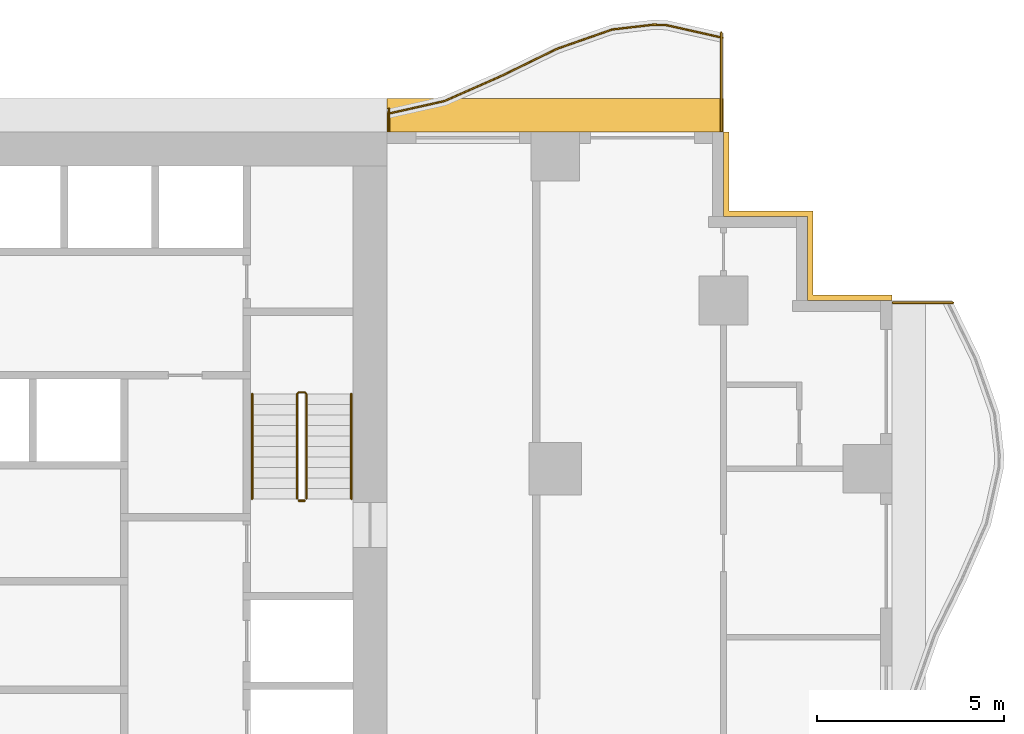
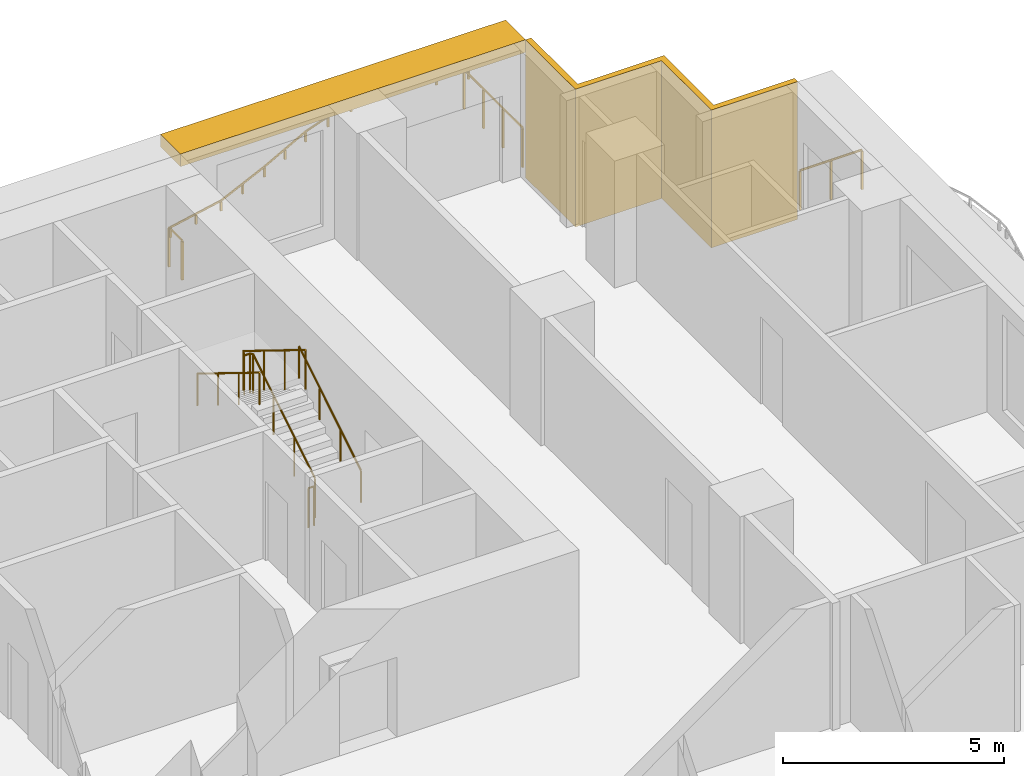
# One storey, part 14 of 14: 8 railings, 2 shading devices.
"""IFC4 building model written with IfcOpenShell, lengths in metres."""

import ifcopenshell
import ifcopenshell.guid

model = None  # the IFC model being written
_history = None  # IfcOwnerHistory: only IFC2X3 demands one
_inside = {}  # id of a spatial element -> (the spatial element, [elements in it])
_under = {}  # id of a project, library or spatial element -> (it, [spatial elements below it])
_declared = {}  # id of a project -> (the project, [libraries it declares])
_typed = {}  # id of a type object -> (the type object, [elements of that type])
_made_of = {}  # id of a material, layer set ... -> (it, [elements and type objects made of it])


def new_model(schema):
    """Start an empty IFC model of exactly this schema.

    Asked for "IFC4X3", IfcOpenShell would pick the latest addendum, in which some entities
    have other attributes; the version numbers below select the first issue.
    IFC2X3 requires an IfcOwnerHistory on every rooted entity: one is made here for all.
    """
    global model, _history
    if schema == "IFC4X3":
        model = ifcopenshell.file(schema_version=(4, 3, 0, 0))
    else:
        model = ifcopenshell.file(schema=schema)
    _inside.clear()
    _under.clear()
    _declared.clear()
    _typed.clear()
    _made_of.clear()
    _history = None
    if model.schema == "IFC2X3":
        org = make("IfcOrganization", Name="unknown")
        user = make(
            "IfcPersonAndOrganization",
            ThePerson=make("IfcPerson", FamilyName="unknown"),
            TheOrganization=org,
        )
        app = make(
            "IfcApplication",
            ApplicationDeveloper=org,
            Version="unknown",
            ApplicationFullName="unknown",
            ApplicationIdentifier="unknown",
        )
        _history = make(
            "IfcOwnerHistory",
            OwningUser=user,
            OwningApplication=app,
            ChangeAction="ADDED",
            CreationDate=0,
        )
    return model


def make(cls, **values):
    """One entity of the class cls with the attributes given. An attribute that is None is left unset."""
    return model.create_entity(
        cls, **{name: value for name, value in values.items() if value is not None}
    )


def rooted(cls, **values):
    """An entity with a GlobalId (a new one), such as an element, a storey or a relation."""
    return make(cls, GlobalId=ifcopenshell.guid.new(), OwnerHistory=_history, **values)


def si_unit(unit_type, name, prefix=None):
    """IfcSIUnit, for example si_unit("LENGTHUNIT", "METRE", prefix="MILLI")."""
    return make("IfcSIUnit", UnitType=unit_type, Prefix=prefix, Name=name)


def assignment(units):
    """IfcUnitAssignment: the units of a project."""
    return None if units is None else make("IfcUnitAssignment", Units=units)


def point(xyz):
    """IfcCartesianPoint."""
    return None if xyz is None else make("IfcCartesianPoint", Coordinates=xyz)


def direction(xyz):
    """IfcDirection."""
    return None if xyz is None else make("IfcDirection", DirectionRatios=xyz)


def frame(location, z_axis=None, x_axis=None):
    """IfcAxis2Placement3D, a coordinate frame: its origin and axes. An axis left out is left unset."""
    return make(
        "IfcAxis2Placement3D",
        Location=point(location),
        Axis=direction(z_axis),
        RefDirection=direction(x_axis),
    )


def frame_2d(location, x_axis=None):
    """IfcAxis2Placement2D, a coordinate frame in the plane: its origin and x axis."""
    return make(
        "IfcAxis2Placement2D", Location=point(location), RefDirection=direction(x_axis)
    )


def origin():
    """The frame at (0, 0, 0) with its axes left unset."""
    return frame((0.0, 0.0, 0.0))


def origin_2d():
    """The frame at (0, 0) in the plane with its x axis left unset."""
    return frame_2d((0.0, 0.0))


def place(relative_to, where):
    """IfcLocalPlacement: puts the frame where relative to a parent placement (None: the world)."""
    return make(
        "IfcLocalPlacement", PlacementRelTo=relative_to, RelativePlacement=where
    )


def context(
    kind, dimensions, precision=None, world=None, true_north=None, identifier=None
):
    """IfcGeometricRepresentationContext, for example the 3D "Model" context."""
    return make(
        "IfcGeometricRepresentationContext",
        ContextIdentifier=identifier,
        ContextType=kind,
        CoordinateSpaceDimension=dimensions,
        Precision=precision,
        WorldCoordinateSystem=world,
        TrueNorth=true_north,
    )


def subcontext(parent, identifier, kind, view, scale=None):
    """IfcGeometricRepresentationSubContext, for example "Body" below "Model"."""
    return make(
        "IfcGeometricRepresentationSubContext",
        ContextIdentifier=identifier,
        ContextType=kind,
        ParentContext=parent,
        TargetScale=scale,
        TargetView=view,
    )


def project(units=None, contexts=None):
    """IfcProject with its units and contexts."""
    return rooted(
        "IfcProject",
        Name="project",
        RepresentationContexts=contexts,
        UnitsInContext=assignment(units),
    )


def spatial(cls, under=None, at=None, **own):
    """A site, building, storey or space (cls), placed at a placement, below another one or the project."""
    s = rooted(cls, ObjectPlacement=at, **own)
    if under is not None:
        _under.setdefault(under.id(), (under, []))[1].append(s)
    return s


def polyline(points):
    """IfcPolyline through the points."""
    return make("IfcPolyline", Points=[point(p) for p in points])


def profile(cls, at=None, kind="AREA", **sizes):
    """A parametric profile (cls). Its sizes go by their IFC names, for example OverallWidth=200.0."""
    return make(cls, ProfileType=kind, Position=at, **sizes)


def rectangle(**sizes):
    """IfcRectangleProfileDef."""
    return profile("IfcRectangleProfileDef", **sizes)


def circle(**sizes):
    """IfcCircleProfileDef."""
    return profile("IfcCircleProfileDef", **sizes)


def outline(outer, holes=None, kind="AREA"):
    """IfcArbitraryClosedProfileDef: a profile drawn as a closed curve; with holes, ...WithVoids."""
    if holes is None:
        return make("IfcArbitraryClosedProfileDef", ProfileType=kind, OuterCurve=outer)
    return make(
        "IfcArbitraryProfileDefWithVoids",
        ProfileType=kind,
        OuterCurve=outer,
        InnerCurves=holes,
    )


def extrude(swept, where, along, depth):
    """IfcExtrudedAreaSolid: the profile swept, set in the frame where, extruded along a direction by depth."""
    return make(
        "IfcExtrudedAreaSolid",
        SweptArea=swept,
        Position=where,
        ExtrudedDirection=direction(along),
        Depth=depth,
    )


def shape(context_of_items, identifier, shape_type, items):
    """IfcShapeRepresentation: the items that make up one representation, for example the "Body"."""
    return make(
        "IfcShapeRepresentation",
        ContextOfItems=context_of_items,
        RepresentationIdentifier=identifier,
        RepresentationType=shape_type,
        Items=items,
    )


def material(Name=None, Category=None):
    """IfcMaterial."""
    return make("IfcMaterial", Name=Name, Category=Category)


def layer(
    of_material, thickness, ventilated=None, Name=None, Category=None, Priority=None
):
    """IfcMaterialLayer: one layer of a wall or slab, of a material (None: an air gap)."""
    return make(
        "IfcMaterialLayer",
        Material=of_material,
        LayerThickness=thickness,
        IsVentilated=ventilated,
        Name=Name,
        Category=Category,
        Priority=Priority,
    )


def layer_set(layers, Name=None):
    """IfcMaterialLayerSet."""
    return make("IfcMaterialLayerSet", MaterialLayers=layers, LayerSetName=Name)


def made_of(thing, what):
    """Note that an element or type object is made of a material, layer set ...; save() writes the relation."""
    if what is not None:
        _made_of.setdefault(what.id(), (what, []))[1].append(thing)
    return thing


def type_object(cls, material=None, **own):
    """A type object (cls), such as IfcWallType, which elements share."""
    return made_of(rooted(cls, **own), material)


def element(
    cls,
    number,
    at=None,
    inside=None,
    cuts=None,
    type_object=None,
    material=None,
    context=None,
    identifier="Body",
    shape_type=None,
    held_by="IfcProductDefinitionShape",
    body=None,
    shapes=None,
    **own,
):
    """One element of the class cls, such as IfcWall. Its Tag is "e" and its number.

    at: its placement. inside: the storey or other place that contains it. cuts: it is an
    opening in that element (IfcRelVoidsElement). A single representation is given by context,
    identifier, shape_type and body (its items); several are given by shapes. held_by: the class
    of the entity that holds the representations. save() writes the other relations.
    """
    e = rooted(cls, Tag="e%d" % number, ObjectPlacement=at, **own)
    if body is not None:
        shapes = [shape(context, identifier, shape_type, body)]
    if shapes is not None:
        e.Representation = make(held_by, Representations=shapes)
    if inside is not None:
        _inside.setdefault(inside.id(), (inside, []))[1].append(e)
    if cuts is not None:
        rooted(
            "IfcRelVoidsElement", RelatingBuildingElement=cuts, RelatedOpeningElement=e
        )
    if type_object is not None:
        _typed.setdefault(type_object.id(), (type_object, []))[1].append(e)
    return made_of(e, material)


def aggregate(whole, parts):
    """IfcRelAggregates: a whole, such as a stair, and the parts it consists of."""
    return rooted("IfcRelAggregates", RelatingObject=whole, RelatedObjects=parts)


def save(model, path):
    """Write the relations noted so far, then the file.

    IfcRelAggregates (storeys below a building ...), IfcRelContainedInSpatialStructure (elements
    in a storey), IfcRelDefinesByType, IfcRelAssociatesMaterial and IfcRelDeclares: one each for
    every whole, place, type object, material and project.
    """
    for whole, parts in _under.values():
        aggregate(whole, parts)
    for where, things in _inside.values():
        rooted(
            "IfcRelContainedInSpatialStructure",
            RelatedElements=things,
            RelatingStructure=where,
        )
    for kind, things in _typed.values():
        rooted("IfcRelDefinesByType", RelatedObjects=things, RelatingType=kind)
    for what, things in _made_of.values():
        rooted("IfcRelAssociatesMaterial", RelatedObjects=things, RelatingMaterial=what)
    for by, libraries in _declared.values():
        rooted("IfcRelDeclares", RelatingContext=by, RelatedDefinitions=libraries)
    model.write(path)


model = new_model("IFC4")

# Units and contexts
model_context = context("Model", 3, precision=1e-05, world=origin(), true_north=direction((0.0, 1.0)))
body_context = subcontext(model_context, "Body", "Model", "MODEL_VIEW")
ifc_project = project(units=[si_unit("LENGTHUNIT", "METRE"), si_unit("AREAUNIT", "SQUARE_METRE"), si_unit("VOLUMEUNIT", "CUBIC_METRE"), si_unit("PLANEANGLEUNIT", "RADIAN"), si_unit("MASSUNIT", "GRAM", prefix="KILO")], contexts=[model_context])

# Site, building, storey
site_placement = place(None, origin())
site = spatial("IfcSite", under=ifc_project, at=site_placement, CompositionType="ELEMENT")
building_placement = place(site_placement, origin())
building = spatial("IfcBuilding", under=site, at=building_placement, Name="Orbiselva Terraces", CompositionType="ELEMENT")
storey_placement = place(building_placement, frame((0.0, 0.0, 80.8)))
storey = spatial("IfcBuildingStorey", under=building, at=storey_placement, Name="L20", CompositionType="ELEMENT", Elevation=80.8)

# Railings
ifc_material_1 = material(Name="Stainless steel", Category="steel")
railing_type_1 = type_object("IfcRailingType", Name="CORE-GUARD-1100", PredefinedType="GUARDRAIL", material=ifc_material_1)
railing_1_placement = place(storey_placement, frame((11.35, 12.7, 0.172727)))
element("IfcRailing", 1, at=railing_1_placement, inside=storey, type_object=railing_type_1, Name="L20 S2 stair guard 1", PredefinedType="GUARDRAIL", context=body_context, shape_type="SweptSolid", body=[
    extrude(circle(Radius=0.024, at=origin_2d()), frame((0.0, 0.0, 1.081), z_axis=(0.0, 0.851088519012, 0.52502222125), x_axis=(-1.0, 0.0, 0.0)), (0.0, 0.0, 1.0), 3.289905),
    extrude(circle(Radius=0.024, at=origin_2d()), frame((0.0, 2.8, 2.808273), z_axis=(-0.707106781187, 0.707106781187, 0.0), x_axis=(-0.707106781187, -0.707106781187, 0.0)), (0.0, 0.0, 1.0), 0.070711),
    extrude(circle(Radius=0.024, at=origin_2d()), frame((-0.05, 2.85, 2.808273), z_axis=(-1.0, 0.0, 0.0), x_axis=(0.0, -1.0, 0.0)), (0.0, 0.0, 1.0), 0.15),
    extrude(circle(Radius=0.024, at=origin_2d()), frame((-0.2, 2.85, 2.808273), z_axis=(-0.267894925557, -0.267894925557, 0.925453736133), x_axis=(0.707106781187, -0.707106781187, 0.0)), (0.0, 0.0, 1.0), 0.18664),
    extrude(circle(Radius=0.024, at=origin_2d()), frame((-0.25, 2.8, 2.981), z_axis=(0.0, -0.851088519012, 0.52502222125), x_axis=(1.0, 0.0, 0.0)), (0.0, 0.0, 1.0), 3.289905),
    extrude(circle(Radius=0.021, at=origin_2d()), origin(), (0.0, 0.0, 1.0), 1.057),
    extrude(circle(Radius=0.021, at=origin_2d()), frame((0.0, 0.933333, 0.575758)), (0.0, 0.0, 1.0), 1.057),
    extrude(circle(Radius=0.021, at=origin_2d()), frame((0.0, 1.866667, 1.151515)), (0.0, 0.0, 1.0), 1.057),
    extrude(circle(Radius=0.021, at=origin_2d()), frame((0.0, 2.8, 1.727273)), (0.0, 0.0, 1.0), 1.057),
    extrude(circle(Radius=0.021, at=origin_2d()), frame((-0.05, 2.85, 1.727273)), (0.0, 0.0, 1.0), 1.057),
    extrude(circle(Radius=0.021, at=origin_2d()), frame((-0.2, 2.85, 1.727273)), (0.0, 0.0, 1.0), 1.057),
    extrude(circle(Radius=0.021, at=origin_2d()), frame((-0.25, 2.8, 1.9)), (0.0, 0.0, 1.0), 1.057),
    extrude(circle(Radius=0.021, at=origin_2d()), frame((-0.25, 1.866667, 2.475758)), (0.0, 0.0, 1.0), 1.057),
    extrude(circle(Radius=0.021, at=origin_2d()), frame((-0.25, 0.933333, 3.051515)), (0.0, 0.0, 1.0), 1.057),
    extrude(circle(Radius=0.021, at=origin_2d()), frame((-0.25, 0.0, 3.627273)), (0.0, 0.0, 1.0), 1.057),
])
railing_2_placement = place(storey_placement, frame((11.3, 12.65, 0.0)))
element("IfcRailing", 2, at=railing_2_placement, inside=storey, type_object=railing_type_1, Name="L20 S2 stair guard 2", PredefinedType="GUARDRAIL", context=body_context, shape_type="SweptSolid", body=[
    extrude(circle(Radius=0.024, at=origin_2d()), frame((0.0, 0.0, 1.081), z_axis=(-1.0, 0.0, 0.0), x_axis=(0.0, -1.0, 0.0)), (0.0, 0.0, 1.0), 0.15),
    extrude(circle(Radius=0.021, at=origin_2d()), origin(), (0.0, 0.0, 1.0), 1.057),
    extrude(circle(Radius=0.021, at=origin_2d()), frame((-0.15, 0.0, 0.0)), (0.0, 0.0, 1.0), 1.057),
])
railing_type_2 = type_object("IfcRailingType", Name="CORE-HANDRAIL-900", PredefinedType="HANDRAIL", material=ifc_material_1)
railing_3_placement = place(storey_placement, frame((12.55, 12.7, 0.172727)))
element("IfcRailing", 3, at=railing_3_placement, inside=storey, type_object=railing_type_2, Name="L20 S2 stair handrail 1", PredefinedType="HANDRAIL", context=body_context, shape_type="SweptSolid", body=[
    extrude(circle(Radius=0.024, at=origin_2d()), frame((0.0, 0.0, 0.876), z_axis=(0.0, 0.851088519012, 0.52502222125), x_axis=(-1.0, 0.0, 0.0)), (0.0, 0.0, 1.0), 3.289905),
    extrude(circle(Radius=0.021, at=origin_2d()), origin(), (0.0, 0.0, 1.0), 0.852),
    extrude(circle(Radius=0.021, at=origin_2d()), frame((0.0, 0.933333, 0.575758)), (0.0, 0.0, 1.0), 0.852),
    extrude(circle(Radius=0.021, at=origin_2d()), frame((0.0, 1.866667, 1.151515)), (0.0, 0.0, 1.0), 0.852),
    extrude(circle(Radius=0.021, at=origin_2d()), frame((0.0, 2.8, 1.727273)), (0.0, 0.0, 1.0), 0.852),
])
railing_4_placement = place(storey_placement, frame((9.9, 15.5, 2.072727)))
element("IfcRailing", 4, at=railing_4_placement, inside=storey, type_object=railing_type_2, Name="L20 S2 stair handrail 2", PredefinedType="HANDRAIL", context=body_context, shape_type="SweptSolid", body=[
    extrude(circle(Radius=0.024, at=origin_2d()), frame((0.0, 0.0, 0.876), z_axis=(0.0, -0.851088519012, 0.52502222125), x_axis=(1.0, 0.0, 0.0)), (0.0, 0.0, 1.0), 3.289905),
    extrude(circle(Radius=0.021, at=origin_2d()), origin(), (0.0, 0.0, 1.0), 0.852),
    extrude(circle(Radius=0.021, at=origin_2d()), frame((0.0, -0.933333, 0.575758)), (0.0, 0.0, 1.0), 0.852),
    extrude(circle(Radius=0.021, at=origin_2d()), frame((0.0, -1.866667, 1.151515)), (0.0, 0.0, 1.0), 0.852),
    extrude(circle(Radius=0.021, at=origin_2d()), frame((0.0, -2.8, 1.727273)), (0.0, 0.0, 1.0), 0.852),
])
ifc_material_2 = material(Name="Bonded two-ply safety glass balustrade, stainless steel posts", Category="steel")
railing_type_3 = type_object("IfcRailingType", Name="ENV-BALUSTRADE-1200", PredefinedType="BALUSTRADE", material=ifc_material_2)
railing_5_placement = place(storey_placement, frame((22.472623, 25.026563, 0.9)))
element("IfcRailing", 5, at=railing_5_placement, inside=storey, type_object=railing_type_3, Name="Balcony balustrade L20 NE", PredefinedType="BALUSTRADE", context=body_context, shape_type="SweptSolid", body=[
    extrude(outline(polyline([(0.028868, 0.0), (0.014434, 0.025), (-0.014434, 0.025), (-0.028868, 0.0), (-0.014434, -0.025), (0.014434, -0.025), (0.028868, 0.0)])), frame((0.0, 0.0, 0.275), z_axis=(-0.975721322437, 0.21901575501, 0.0), x_axis=(-0.21901575501, -0.975721322437, 0.0)), (0.0, 0.0, 1.0), 1.525954),
    extrude(outline(polyline([(0.028868, 0.0), (0.014434, 0.025), (-0.014434, 0.025), (-0.028868, 0.0), (-0.014434, -0.025), (0.014434, -0.025), (0.028868, 0.0)])), frame((-1.488906, 0.334208, 0.275), z_axis=(-0.999224931454, 0.039364150694, 0.0), x_axis=(-0.039364150694, -0.999224931454, 0.0)), (0.0, 0.0, 1.0), 0.354206),
    extrude(outline(polyline([(0.028868, 0.0), (0.014434, 0.025), (-0.014434, 0.025), (-0.028868, 0.0), (-0.014434, -0.025), (0.014434, -0.025), (0.028868, 0.0)])), frame((-1.842837, 0.348151, 0.275), z_axis=(-0.993309658409, -0.115481264762, 0.0), x_axis=(0.115481264762, -0.993309658409, 0.0)), (0.0, 0.0, 1.0), 1.10902),
    extrude(outline(polyline([(0.028868, 0.0), (0.014434, 0.025), (-0.014434, 0.025), (-0.028868, 0.0), (-0.014434, -0.025), (0.014434, -0.025), (0.028868, 0.0)])), frame((-2.944437, 0.22008, 0.275), z_axis=(-0.943972277814, -0.330024754707, 0.0), x_axis=(0.330024754707, -0.943972277814, 0.0)), (0.0, 0.0, 1.0), 1.567807),
    extrude(outline(polyline([(0.028868, 0.0), (0.014434, 0.025), (-0.014434, 0.025), (-0.028868, 0.0), (-0.014434, -0.025), (0.014434, -0.025), (0.028868, 0.0)])), frame((-4.424403, -0.297335, 0.275), z_axis=(-0.89857890432, -0.438811978768, 0.0), x_axis=(0.438811978768, -0.89857890432, 0.0)), (0.0, 0.0, 1.0), 1.66438),
    extrude(outline(polyline([(0.028868, 0.0), (0.014434, 0.025), (-0.014434, 0.025), (-0.028868, 0.0), (-0.014434, -0.025), (0.014434, -0.025), (0.028868, 0.0)])), frame((-5.91998, -1.027685, 0.275), z_axis=(-0.915133527237, -0.403150874148, 0.0), x_axis=(0.403150874148, -0.915133527237, 0.0)), (0.0, 0.0, 1.0), 1.653736),
    extrude(outline(polyline([(0.028868, 0.0), (0.014434, 0.025), (-0.014434, 0.025), (-0.028868, 0.0), (-0.014434, -0.025), (0.014434, -0.025), (0.028868, 0.0)])), frame((-7.433369, -1.69439, 0.275), z_axis=(-0.975721349543, -0.219015634252, 0.0), x_axis=(0.219015634252, -0.975721349543, 0.0)), (0.0, 0.0, 1.0), 1.549497),
    extrude(rectangle(XDim=0.05, YDim=0.05, at=origin_2d()), origin(), (0.0, 0.0, 1.0), 0.25),
    extrude(rectangle(XDim=0.05, YDim=0.05, at=origin_2d()), frame((-0.744453, 0.167104, 0.0)), (0.0, 0.0, 1.0), 0.25),
    extrude(rectangle(XDim=0.05, YDim=0.05, at=origin_2d()), frame((-1.488906, 0.334208, 0.0)), (0.0, 0.0, 1.0), 0.25),
    extrude(rectangle(XDim=0.05, YDim=0.05, at=origin_2d()), frame((-1.842837, 0.348151, 0.0)), (0.0, 0.0, 1.0), 0.25),
    extrude(rectangle(XDim=0.05, YDim=0.05, at=origin_2d()), frame((-2.944437, 0.22008, 0.0)), (0.0, 0.0, 1.0), 0.25),
    extrude(rectangle(XDim=0.05, YDim=0.05, at=origin_2d()), frame((-3.68442, -0.038628, 0.0)), (0.0, 0.0, 1.0), 0.25),
    extrude(rectangle(XDim=0.05, YDim=0.05, at=origin_2d()), frame((-4.424403, -0.297335, 0.0)), (0.0, 0.0, 1.0), 0.25),
    extrude(rectangle(XDim=0.05, YDim=0.05, at=origin_2d()), frame((-5.172191, -0.66251, 0.0)), (0.0, 0.0, 1.0), 0.25),
    extrude(rectangle(XDim=0.05, YDim=0.05, at=origin_2d()), frame((-5.91998, -1.027685, 0.0)), (0.0, 0.0, 1.0), 0.25),
    extrude(rectangle(XDim=0.05, YDim=0.05, at=origin_2d()), frame((-6.676674, -1.361037, 0.0)), (0.0, 0.0, 1.0), 0.25),
    extrude(rectangle(XDim=0.05, YDim=0.05, at=origin_2d()), frame((-7.433369, -1.69439, 0.0)), (0.0, 0.0, 1.0), 0.25),
    extrude(rectangle(XDim=0.05, YDim=0.05, at=origin_2d()), frame((-8.189307, -1.864072, 0.0)), (0.0, 0.0, 1.0), 0.25),
    extrude(rectangle(XDim=0.05, YDim=0.05, at=origin_2d()), frame((-8.945246, -2.033754, 0.0)), (0.0, 0.0, 1.0), 0.25),
])
ifc_material_3 = material(Name="Stainless steel rail and posts", Category="steel")
railing_type_4 = type_object("IfcRailingType", Name="ENV-GUARD-1105", PredefinedType="BALUSTRADE", material=ifc_material_3)
railing_6_placement = place(storey_placement, frame((28.642123, 17.94, 0.0)))
element("IfcRailing", 6, at=railing_6_placement, inside=storey, type_object=railing_type_4, Name="Balcony end guard L20 E", PredefinedType="BALUSTRADE", context=body_context, shape_type="SweptSolid", body=[
    extrude(outline(polyline([(0.028868, 0.0), (0.014434, 0.025), (-0.014434, 0.025), (-0.028868, 0.0), (-0.014434, -0.025), (0.014434, -0.025), (0.028868, 0.0)])), frame((0.0, 0.0, 1.08), z_axis=(-1.0, 0.0, 0.0), x_axis=(0.0, -1.0, 0.0)), (0.0, 0.0, 1.0), 1.617123),
    extrude(rectangle(XDim=0.05, YDim=0.05, at=origin_2d()), origin(), (0.0, 0.0, 1.0), 1.055),
    extrude(rectangle(XDim=0.05, YDim=0.05, at=origin_2d()), frame((-0.808562, 0.0, 0.0)), (0.0, 0.0, 1.0), 1.055),
    extrude(rectangle(XDim=0.05, YDim=0.05, at=origin_2d()), frame((-1.617123, 0.0, 0.0)), (0.0, 0.0, 1.0), 1.055),
])
railing_7_placement = place(storey_placement, frame((22.44, 25.169584, 0.0)))
element("IfcRailing", 7, at=railing_7_placement, inside=storey, type_object=railing_type_4, Name="Balcony end guard L20 NE", PredefinedType="BALUSTRADE", context=body_context, shape_type="SweptSolid", body=[
    extrude(outline(polyline([(0.028868, 0.0), (0.014434, 0.025), (-0.014434, 0.025), (-0.028868, 0.0), (-0.014434, -0.025), (0.014434, -0.025), (0.028868, 0.0)])), frame((0.0, 0.0, 1.08), z_axis=(0.0, -1.0, 0.0), x_axis=(1.0, 0.0, 0.0)), (0.0, 0.0, 1.0), 2.644584),
    extrude(rectangle(XDim=0.05, YDim=0.05, at=origin_2d()), origin(), (0.0, 0.0, 1.0), 1.055),
    extrude(rectangle(XDim=0.05, YDim=0.05, at=origin_2d()), frame((0.0, -0.881528, 0.0)), (0.0, 0.0, 1.0), 1.055),
    extrude(rectangle(XDim=0.05, YDim=0.05, at=origin_2d()), frame((0.0, -1.763056, 0.0)), (0.0, 0.0, 1.0), 1.055),
    extrude(rectangle(XDim=0.05, YDim=0.05, at=origin_2d()), frame((0.0, -2.644584, 0.0)), (0.0, 0.0, 1.0), 1.055),
])
railing_8_placement = place(storey_placement, frame((13.56, 23.119866, 0.0)))
element("IfcRailing", 8, at=railing_8_placement, inside=storey, type_object=railing_type_4, Name="Balcony end guard L20 NE", PredefinedType="BALUSTRADE", context=body_context, shape_type="SweptSolid", body=[
    extrude(outline(polyline([(0.028868, 0.0), (0.014434, 0.025), (-0.014434, 0.025), (-0.028868, 0.0), (-0.014434, -0.025), (0.014434, -0.025), (0.028868, 0.0)])), frame((0.0, 0.0, 1.08), z_axis=(0.0, -1.0, 0.0), x_axis=(1.0, 0.0, 0.0)), (0.0, 0.0, 1.0), 0.594866),
    extrude(rectangle(XDim=0.05, YDim=0.05, at=origin_2d()), origin(), (0.0, 0.0, 1.0), 1.055),
    extrude(rectangle(XDim=0.05, YDim=0.05, at=origin_2d()), frame((0.0, -0.594866, 0.0)), (0.0, 0.0, 1.0), 1.055),
])

# Shading devices
ifc_material_4 = material(Name="Terracotta louvre screen", Category="masonry")
ifc_layer_1 = layer(ifc_material_4, 0.15)
ifc_layer_set_1 = layer_set([ifc_layer_1], Name="Terracotta louvre screen")
shading_device_type_1 = type_object("IfcShadingDeviceType", Name="ENV-SCREEN-150", PredefinedType="USERDEFINED", material=ifc_layer_set_1)
shading_device_1_placement = place(storey_placement, frame((0.0, 0.0, -0.3)))
element("IfcShadingDevice", 9, at=shading_device_1_placement, inside=storey, type_object=shading_device_type_1, Name="Louvre screen L20 NE", ObjectType="SCREEN", PredefinedType="USERDEFINED", context=body_context, shape_type="SweptSolid", body=[
    extrude(outline(polyline([(27.0, 18.15), (24.9, 18.15), (24.9, 20.4), (22.65, 20.4), (22.65, 22.5), (22.5, 22.5), (22.5, 20.25), (24.75, 20.25), (24.75, 18.0), (27.0, 18.0), (27.0, 18.15)])), origin(), (0.0, 0.0, 1.0), 3.8),
])
ifc_material_5 = material(Name="Terracotta baguette sunshade", Category="masonry")
ifc_layer_2 = layer(ifc_material_5, 0.35)
ifc_layer_set_2 = layer_set([ifc_layer_2], Name="Terracotta baguette sunshade")
shading_device_type_2 = type_object("IfcShadingDeviceType", Name="ENV-SUNSHADE-900x350", PredefinedType="USERDEFINED", material=ifc_layer_set_2)
shading_device_2_placement = place(storey_placement, frame((0.0, 0.0, 3.15)))
element("IfcShadingDevice", 10, at=shading_device_2_placement, inside=storey, type_object=shading_device_type_2, Name="Sunshade band L20 NE", ObjectType="SUNSHADE", PredefinedType="USERDEFINED", context=body_context, shape_type="SweptSolid", body=[
    extrude(outline(polyline([(22.5, 23.4), (13.5, 23.4), (13.5, 22.5), (22.5, 22.5), (22.5, 23.4)])), origin(), (0.0, 0.0, 1.0), 0.35),
])

save(model, "model.ifc")
